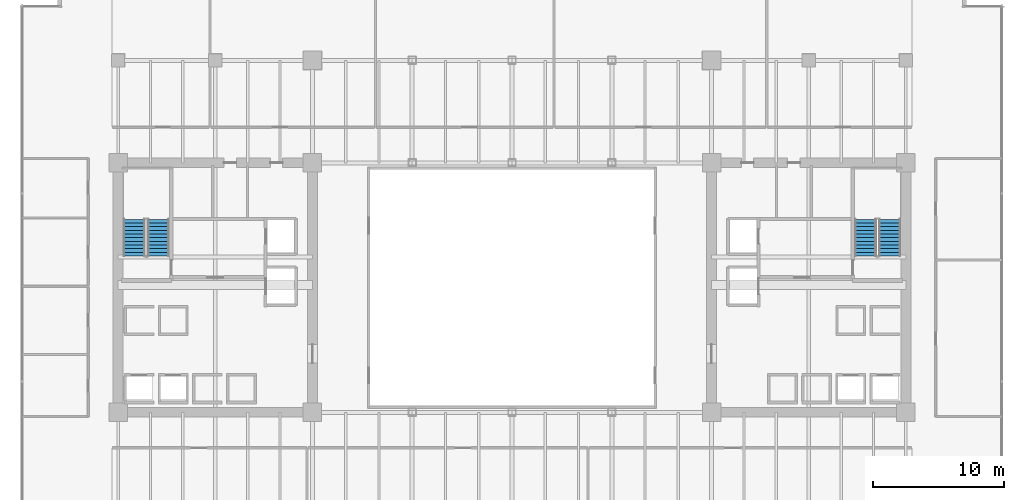
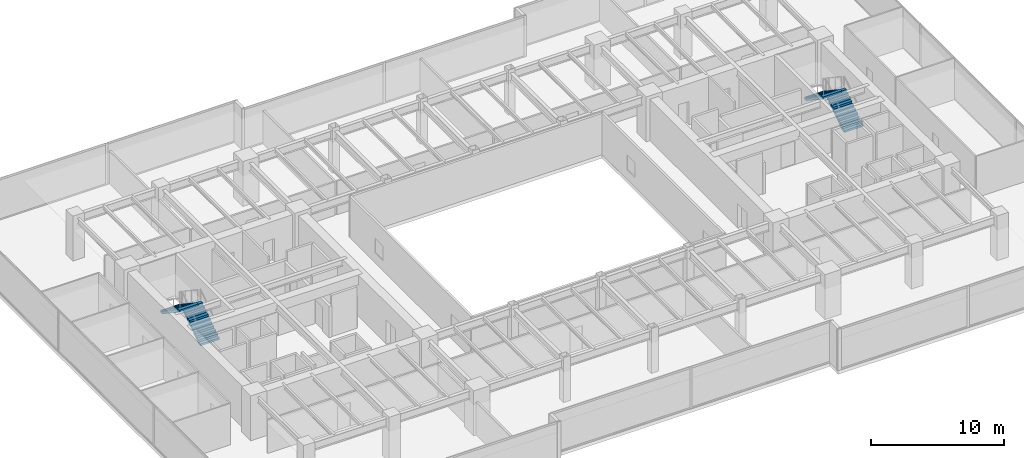
# One storey, part 33 of 36: 4 stair flights, 2 elements without a shape of their own.
"""IFC4 building model written with IfcOpenShell, lengths in metres."""

from ifc_helpers import new_model, si_unit, direction, frame, origin, place, context, subcontext, project, spatial, polyline, outline, extrude, source, transform, mapped, material, type_object, type_shapes, element, aggregate, save


model = new_model("IFC4")

# Units and contexts
model_context = context("Model", 3, precision=1e-05, world=origin(), true_north=direction((0.0, 1.0)))
body_context = subcontext(model_context, "Body", "Model", "MODEL_VIEW")
ifc_project = project(units=[si_unit("LENGTHUNIT", "METRE"), si_unit("AREAUNIT", "SQUARE_METRE"), si_unit("VOLUMEUNIT", "CUBIC_METRE"), si_unit("PLANEANGLEUNIT", "RADIAN"), si_unit("MASSUNIT", "GRAM", prefix="KILO")], contexts=[model_context])

# Site, building, storey
site_placement = place(None, origin())
site = spatial("IfcSite", under=ifc_project, at=site_placement, CompositionType="ELEMENT")
building_placement = place(site_placement, origin())
building = spatial("IfcBuilding", under=site, at=building_placement, Name="Haelvirn Gate Laboratories", CompositionType="ELEMENT")
storey_placement = place(building_placement, frame((0.0, 0.0, 53.89990234375)))
storey = spatial("IfcBuildingStorey", under=building, at=storey_placement, Name="L13", CompositionType="ELEMENT", Elevation=53.89990234375)

# Stair, stair flights
ifc_material = material(Name="Concrete C40/50", Category="concrete")
stair_type = type_object("IfcStairType", Name="ST-DOG-1650-R22", PredefinedType="HALF_TURN_STAIR", material=ifc_material)
stair_1_placement = place(storey_placement, origin())
stair_1 = element("IfcStair", 1, at=stair_1_placement, inside=storey, type_object=stair_type, Name="L13 Escape Stair ST1", PredefinedType="HALF_TURN_STAIR")
stair_flight_type = type_object("IfcStairFlightType", Name="STF-1650-R11", PredefinedType="STRAIGHT", material=ifc_material)
shared_shape = source(origin(), body_context, "Body", "SweptSolid", [
    extrude(outline(polyline([(0.0, 0.0), (0.0, 0.186279296875), (0.280029296875, 0.186279296875), (0.280029296875, 0.372802734375), (0.56005859375, 0.372802734375), (0.56005859375, 0.55908203125), (0.840087890625, 0.55908203125), (0.840087890625, 0.745361328125), (1.1201171875, 0.745361328125), (1.1201171875, 0.931884765625), (1.39990234375, 0.931884765625), (1.39990234375, 1.1181640625), (1.679931640625, 1.1181640625), (1.679931640625, 1.304443359375), (1.9599609375, 1.304443359375), (1.9599609375, 1.490966796875), (2.239990234375, 1.490966796875), (2.239990234375, 1.67724609375), (2.52001953125, 1.67724609375), (2.52001953125, 1.863525390625), (2.800048828125, 1.863525390625), (2.800048828125, 2.050048828125), (2.800048828125, 1.671630859375), (0.28857421875, 0.0), (0.0, 0.0)])), frame((0.0, 0.824951171875, 0.0), z_axis=(0.0, -1.0, 0.0), x_axis=(1.0, 0.0, 0.0)), (0.0, 0.0, 1.0), 1.64990234375),
])
type_shapes(stair_flight_type, [shared_shape])
stair_flight_1_placement = place(storey_placement, frame((10.47509765625, 26.699951171875, 0.0), z_axis=(0.0, 0.0, 1.0), x_axis=(0.0, 1.0, 0.0)))
stair_flight_1 = element("IfcStairFlight", 2, at=stair_flight_1_placement, type_object=stair_flight_type, Name="ST1 flight 1", NumberOfRisers=11, NumberOfTreads=10, PredefinedType="STRAIGHT", RiserHeight=0.186363636, TreadLength=0.28, context=body_context, shape_type="MappedRepresentation", body=[
    mapped(shared_shape, transform((0.0, 0.0, 0.0), scale=1.0)),
])
stair_flight_2_placement = place(storey_placement, frame((8.625, 29.5, 2.050048828125), z_axis=(0.0, 0.0, 1.0), x_axis=(0.0, -1.0, 0.0)))
stair_flight_2 = element("IfcStairFlight", 3, at=stair_flight_2_placement, type_object=stair_flight_type, Name="ST1 flight 2", NumberOfRisers=11, NumberOfTreads=10, PredefinedType="STRAIGHT", RiserHeight=0.186363636, TreadLength=0.28, context=body_context, shape_type="MappedRepresentation", body=[
    mapped(shared_shape, transform((0.0, 0.0, 0.0), scale=1.0)),
])
aggregate(stair_1, [stair_flight_1, stair_flight_2])

stair_2_placement = place(storey_placement, origin())
stair_2 = element("IfcStair", 4, at=stair_2_placement, inside=storey, type_object=stair_type, Name="L13 Escape Stair ST2", PredefinedType="HALF_TURN_STAIR")
stair_flight_3_placement = place(storey_placement, frame((66.175048828125, 26.699951171875, 0.0), z_axis=(0.0, 0.0, 1.0), x_axis=(0.0, 1.0, 0.0)))
stair_flight_3 = element("IfcStairFlight", 5, at=stair_flight_3_placement, type_object=stair_flight_type, Name="ST2 flight 1", NumberOfRisers=11, NumberOfTreads=10, PredefinedType="STRAIGHT", RiserHeight=0.186363636, TreadLength=0.28, context=body_context, shape_type="MappedRepresentation", body=[
    mapped(shared_shape, transform((0.0, 0.0, 0.0), scale=1.0)),
])
stair_flight_4_placement = place(storey_placement, frame((64.324951171875, 29.5, 2.050048828125), z_axis=(0.0, 0.0, 1.0), x_axis=(0.0, -1.0, 0.0)))
stair_flight_4 = element("IfcStairFlight", 6, at=stair_flight_4_placement, type_object=stair_flight_type, Name="ST2 flight 2", NumberOfRisers=11, NumberOfTreads=10, PredefinedType="STRAIGHT", RiserHeight=0.186363636, TreadLength=0.28, context=body_context, shape_type="MappedRepresentation", body=[
    mapped(shared_shape, transform((0.0, 0.0, 0.0), scale=1.0)),
])
aggregate(stair_2, [stair_flight_3, stair_flight_4])

save(model, "model.ifc")
